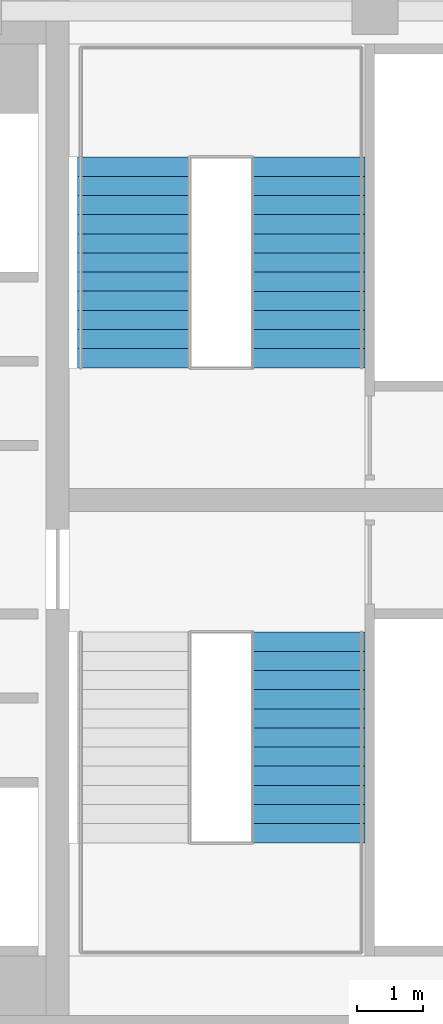
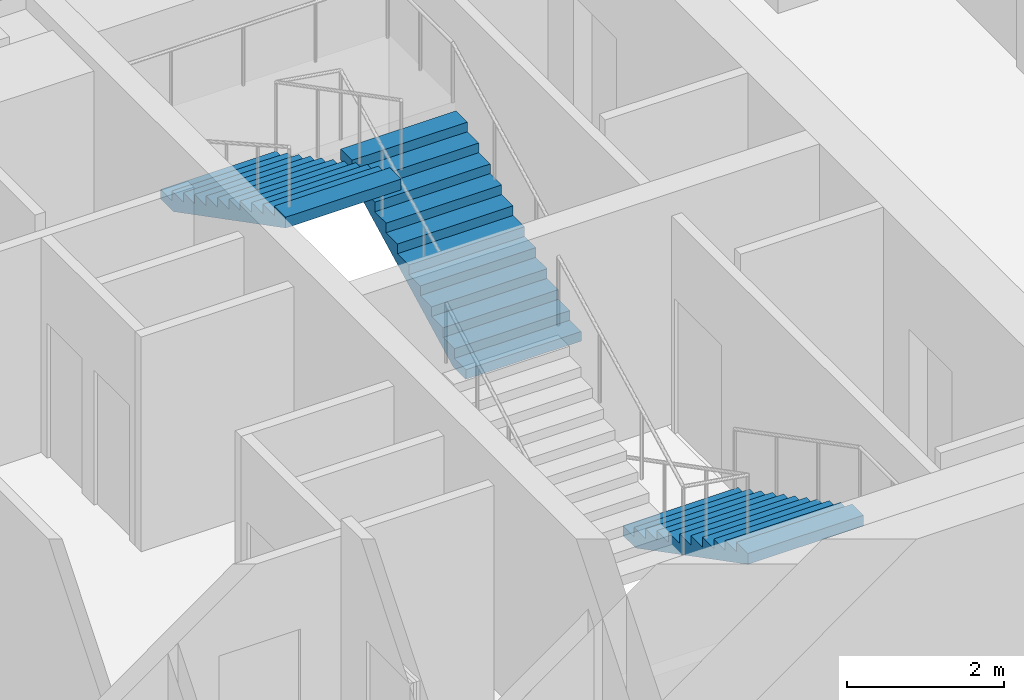
# One storey, part 26 of 27: 3 stair flights, 2 elements without a shape of their own.
"""IFC4 building model written with IfcOpenShell, lengths in metres."""

from ifc_helpers import new_model, si_unit, direction, frame, origin, place, context, subcontext, project, spatial, polyline, outline, extrude, material, type_object, element, aggregate, save


model = new_model("IFC4")

# Units and contexts
model_context = context("Model", 3, precision=1e-05, world=origin(), true_north=direction((0.0, 1.0)))
body_context = subcontext(model_context, "Body", "Model", "MODEL_VIEW")
ifc_project = project(units=[si_unit("LENGTHUNIT", "METRE"), si_unit("AREAUNIT", "SQUARE_METRE"), si_unit("VOLUMEUNIT", "CUBIC_METRE"), si_unit("PLANEANGLEUNIT", "RADIAN"), si_unit("MASSUNIT", "GRAM", prefix="KILO")], contexts=[model_context])

# Site, building, storey
site_placement = place(None, origin())
site = spatial("IfcSite", under=ifc_project, at=site_placement, CompositionType="ELEMENT")
building_placement = place(site_placement, origin())
building = spatial("IfcBuilding", under=site, at=building_placement, Name="Marenta Gate Hotel Tower", CompositionType="ELEMENT")
storey_placement = place(building_placement, frame((0.0, 0.0, 270.5)))
storey = spatial("IfcBuildingStorey", under=building, at=storey_placement, Name="L62", CompositionType="ELEMENT", Elevation=270.5)

# Stair, stair flight
ifc_material_1 = material(Name="Concrete C40", Category="concrete")
stair_type = type_object("IfcStairType", Name="Core exit stair 1700 wide", PredefinedType="HALF_TURN_STAIR", material=ifc_material_1)
stair_1_placement = place(storey_placement, origin())
stair_1 = element("IfcStair", 1, at=stair_1_placement, inside=storey, type_object=stair_type, Name="Exit stair 3", PredefinedType="HALF_TURN_STAIR")
ifc_material_2 = material(Name="Concrete C40", Category="concrete")
stair_flight_type = type_object("IfcStairFlightType", Name="Core stair flight 1700 riser 150.0 going 290", PredefinedType="STRAIGHT", material=ifc_material_2)
stair_flight_1_placement = place(storey_placement, frame((8.0, 6.39990234375, 0.0), z_axis=(0.0, 0.0, 1.0), x_axis=(0.0, -1.0, 0.0)))
stair_flight_1 = element("IfcStairFlight", 2, at=stair_flight_1_placement, type_object=stair_flight_type, Name="ST3 flight 1", NumberOfRisers=12, NumberOfTreads=11, PredefinedType="STRAIGHT", RiserHeight=0.15, TreadLength=0.29, context=body_context, shape_type="SweptSolid", body=[
    extrude(outline(polyline([(0.0, 0.0), (0.0, 0.14990234375), (0.2900390625, 0.14990234375), (0.2900390625, 0.300048828125), (0.580078125, 0.300048828125), (0.580078125, 0.449951171875), (0.8701171875, 0.449951171875), (0.8701171875, 0.60009765625), (1.159912109375, 0.60009765625), (1.159912109375, 0.75), (1.449951171875, 0.75), (1.449951171875, 0.89990234375), (1.739990234375, 0.89990234375), (1.739990234375, 1.050048828125), (2.030029296875, 1.050048828125), (2.030029296875, 1.199951171875), (2.320068359375, 1.199951171875), (2.320068359375, 1.35009765625), (2.610107421875, 1.35009765625), (2.610107421875, 1.5), (2.89990234375, 1.5), (2.89990234375, 1.64990234375), (3.18994140625, 1.64990234375), (3.18994140625, 1.800048828125), (3.18994140625, 1.481201171875), (0.326171875, 0.0), (0.0, 0.0)])), frame((0.0, 0.85009765625, 0.0), z_axis=(0.0, -1.0, 0.0), x_axis=(1.0, 0.0, 0.0)), (0.0, 0.0, 1.0), 1.699951171875),
])
aggregate(stair_1, [stair_flight_1])

# Stair, stair flights
stair_2_placement = place(storey_placement, origin())
stair_2 = element("IfcStair", 3, at=stair_2_placement, inside=storey, type_object=stair_type, Name="Exit stair 4", PredefinedType="HALF_TURN_STAIR")
stair_flight_2_placement = place(storey_placement, frame((8.0, 10.39990234375, 0.0), z_axis=(0.0, 0.0, 1.0), x_axis=(0.0, 1.0, 0.0)))
stair_flight_2 = element("IfcStairFlight", 4, at=stair_flight_2_placement, type_object=stair_flight_type, Name="ST4 flight 1", NumberOfRisers=12, NumberOfTreads=11, PredefinedType="STRAIGHT", RiserHeight=0.15, TreadLength=0.29, context=body_context, shape_type="SweptSolid", body=[
    extrude(outline(polyline([(0.0, 0.0), (0.0, 0.14990234375), (0.2900390625, 0.14990234375), (0.2900390625, 0.300048828125), (0.580078125, 0.300048828125), (0.580078125, 0.449951171875), (0.8701171875, 0.449951171875), (0.8701171875, 0.60009765625), (1.159912109375, 0.60009765625), (1.159912109375, 0.75), (1.449951171875, 0.75), (1.449951171875, 0.89990234375), (1.739990234375, 0.89990234375), (1.739990234375, 1.050048828125), (2.030029296875, 1.050048828125), (2.030029296875, 1.199951171875), (2.320068359375, 1.199951171875), (2.320068359375, 1.35009765625), (2.610107421875, 1.35009765625), (2.610107421875, 1.5), (2.89990234375, 1.5), (2.89990234375, 1.64990234375), (3.18994140625, 1.64990234375), (3.18994140625, 1.800048828125), (3.18994140625, 1.481201171875), (0.326171875, 0.0), (0.0, 0.0)])), frame((0.0, 0.85009765625, 0.0), z_axis=(0.0, -1.0, 0.0), x_axis=(1.0, 0.0, 0.0)), (0.0, 0.0, 1.0), 1.699951171875),
])
stair_flight_3_placement = place(storey_placement, frame((5.35009765625, 13.590087890625, 1.800048828125), z_axis=(0.0, 0.0, 1.0), x_axis=(0.0, -1.0, 0.0)))
stair_flight_3 = element("IfcStairFlight", 5, at=stair_flight_3_placement, type_object=stair_flight_type, Name="ST4 flight 2", NumberOfRisers=12, NumberOfTreads=11, PredefinedType="STRAIGHT", RiserHeight=0.15, TreadLength=0.29, context=body_context, shape_type="SweptSolid", body=[
    extrude(outline(polyline([(0.0, 0.0), (0.0, 0.14990234375), (0.2900390625, 0.14990234375), (0.2900390625, 0.300048828125), (0.580078125, 0.300048828125), (0.580078125, 0.449951171875), (0.8701171875, 0.449951171875), (0.8701171875, 0.60009765625), (1.159912109375, 0.60009765625), (1.159912109375, 0.75), (1.449951171875, 0.75), (1.449951171875, 0.89990234375), (1.739990234375, 0.89990234375), (1.739990234375, 1.050048828125), (2.030029296875, 1.050048828125), (2.030029296875, 1.199951171875), (2.320068359375, 1.199951171875), (2.320068359375, 1.35009765625), (2.610107421875, 1.35009765625), (2.610107421875, 1.5), (2.89990234375, 1.5), (2.89990234375, 1.64990234375), (3.18994140625, 1.64990234375), (3.18994140625, 1.800048828125), (3.18994140625, 1.481201171875), (0.326171875, 0.0), (0.0, 0.0)])), frame((0.0, 0.85009765625, 0.0), z_axis=(0.0, -1.0, 0.0), x_axis=(1.0, 0.0, 0.0)), (0.0, 0.0, 1.0), 1.699951171875),
])
aggregate(stair_2, [stair_flight_2, stair_flight_3])

save(model, "model.ifc")
